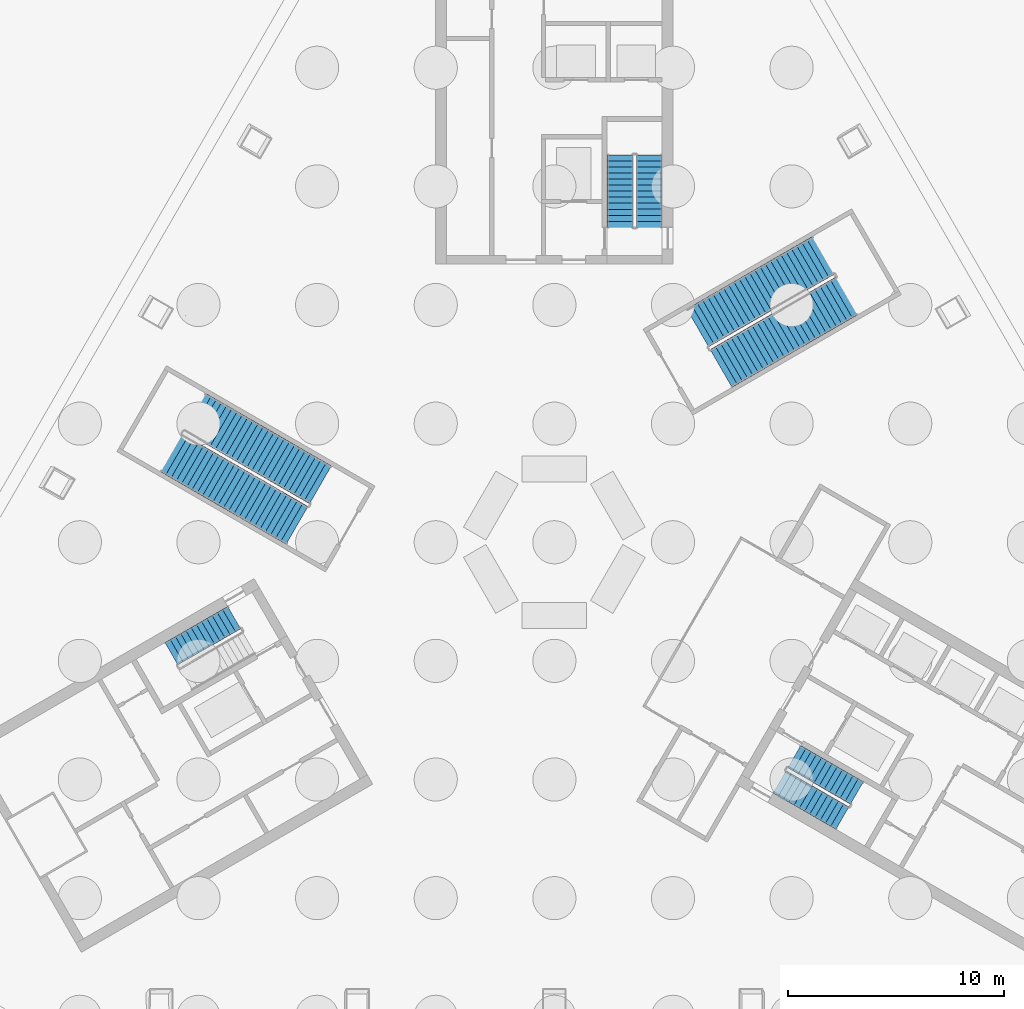
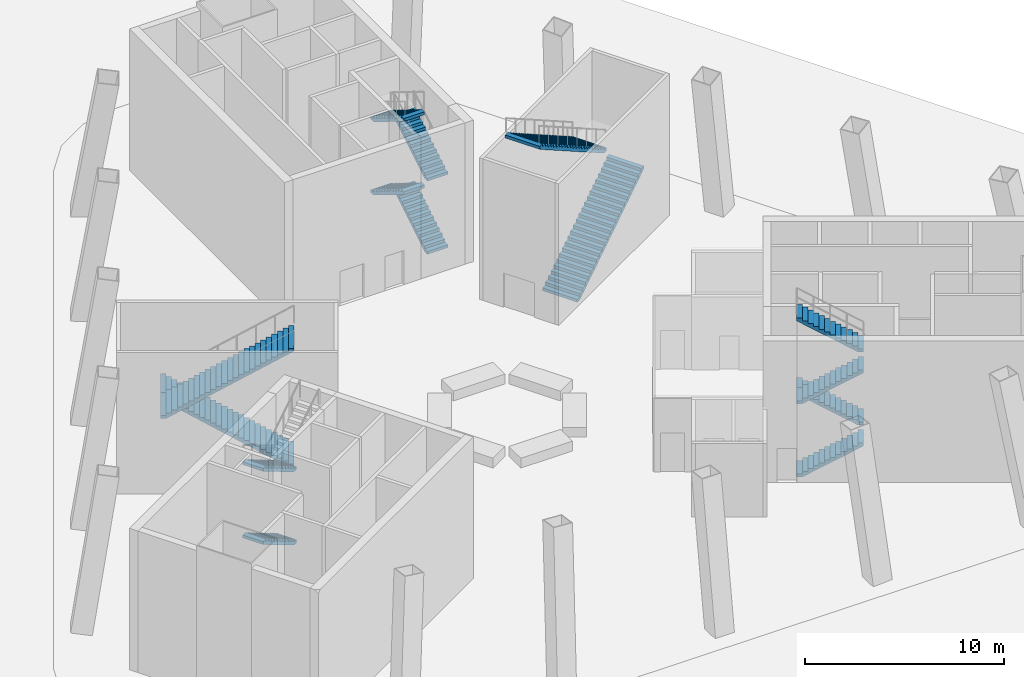
# One storey, part 6 of 10: 14 stair flights, 5 elements without a shape of their own.
"""IFC4 building model written with IfcOpenShell, lengths in metres."""

from ifc_helpers import new_model, si_unit, direction, frame, origin, place, context, subcontext, project, spatial, polyline, outline, extrude, material, type_object, element, aggregate, save


model = new_model("IFC4")

# Units and contexts
model_context = context("Model", 3, precision=1e-05, world=origin(), true_north=direction((0.0, 1.0)))
body_context = subcontext(model_context, "Body", "Model", "MODEL_VIEW")
ifc_project = project(units=[si_unit("LENGTHUNIT", "METRE"), si_unit("AREAUNIT", "SQUARE_METRE"), si_unit("VOLUMEUNIT", "CUBIC_METRE"), si_unit("PLANEANGLEUNIT", "RADIAN"), si_unit("MASSUNIT", "GRAM", prefix="KILO")], contexts=[model_context])

# Site, building, storey
site_placement = place(None, origin())
site = spatial("IfcSite", under=ifc_project, at=site_placement, CompositionType="ELEMENT")
building_placement = place(site_placement, origin())
building = spatial("IfcBuilding", under=site, at=building_placement, Name="Apuvela Tower Hotel", CompositionType="ELEMENT")
storey_placement = place(building_placement, origin())
storey = spatial("IfcBuildingStorey", under=building, at=storey_placement, Name="L00", CompositionType="ELEMENT", Elevation=0.0)

# Stair, stair flights
ifc_material_1 = material(Name="Concrete C50/60", Category="concrete")
stair_type_1 = type_object("IfcStairType", Name="COR-STAIR-52R", PredefinedType="HALF_TURN_STAIR", material=ifc_material_1)
stair_1_placement = place(storey_placement, origin())
stair_1 = element("IfcStair", 1, at=stair_1_placement, inside=storey, type_object=stair_type_1, Name="L00 Exit stair ST1", PredefinedType="HALF_TURN_STAIR")
stair_flight_type_1 = type_object("IfcStairFlightType", Name="COR-FLIGHT-13R", PredefinedType="STRAIGHT", material=ifc_material_1)
stair_flight_1_placement = place(storey_placement, frame((4.39990234375, 14.60009765625, 0.0), z_axis=(0.0, 0.0, 1.0), x_axis=(0.0, 1.0, 0.0)))
stair_flight_1 = element("IfcStairFlight", 2, at=stair_flight_1_placement, type_object=stair_flight_type_1, Name="ST1 flight 1", NumberOfRisers=13, NumberOfTreads=12, PredefinedType="STRAIGHT", RiserHeight=0.173076923, TreadLength=0.28, context=body_context, shape_type="SweptSolid", body=[
    extrude(outline(polyline([(0.0, 0.0), (0.0, 0.173095703125), (0.280029296875, 0.173095703125), (0.280029296875, 0.34619140625), (0.56005859375, 0.34619140625), (0.56005859375, 0.519287109375), (0.840087890625, 0.519287109375), (0.840087890625, 0.6923828125), (1.1201171875, 0.6923828125), (1.1201171875, 0.865478515625), (1.39990234375, 0.865478515625), (1.39990234375, 1.03857421875), (1.679931640625, 1.03857421875), (1.679931640625, 1.21142578125), (1.9599609375, 1.21142578125), (1.9599609375, 1.384521484375), (2.239990234375, 1.384521484375), (2.239990234375, 1.5576171875), (2.52001953125, 1.5576171875), (2.52001953125, 1.730712890625), (2.800048828125, 1.730712890625), (2.800048828125, 1.90380859375), (3.080078125, 1.90380859375), (3.080078125, 2.076904296875), (3.360107421875, 2.076904296875), (3.360107421875, 2.25), (3.360107421875, 1.900634765625), (0.28515625, 0.0), (0.0, 0.0)])), frame((0.0, 0.60009765625, 0.0), z_axis=(0.0, -1.0, 0.0), x_axis=(1.0, 0.0, 0.0)), (0.0, 0.0, 1.0), 1.199951171875),
])
stair_flight_2_placement = place(storey_placement, frame((3.050048828125, 17.9599609375, 2.25), z_axis=(0.0, 0.0, 1.0), x_axis=(0.0, -1.0, 0.0)))
stair_flight_2 = element("IfcStairFlight", 3, at=stair_flight_2_placement, type_object=stair_flight_type_1, Name="ST1 flight 2", NumberOfRisers=13, NumberOfTreads=12, PredefinedType="STRAIGHT", RiserHeight=0.173076923, TreadLength=0.28, context=body_context, shape_type="SweptSolid", body=[
    extrude(outline(polyline([(0.0, 0.0), (0.0, 0.173095703125), (0.280029296875, 0.173095703125), (0.280029296875, 0.34619140625), (0.56005859375, 0.34619140625), (0.56005859375, 0.519287109375), (0.840087890625, 0.519287109375), (0.840087890625, 0.6923828125), (1.1201171875, 0.6923828125), (1.1201171875, 0.865478515625), (1.39990234375, 0.865478515625), (1.39990234375, 1.03857421875), (1.679931640625, 1.03857421875), (1.679931640625, 1.21142578125), (1.9599609375, 1.21142578125), (1.9599609375, 1.384521484375), (2.239990234375, 1.384521484375), (2.239990234375, 1.5576171875), (2.52001953125, 1.5576171875), (2.52001953125, 1.730712890625), (2.800048828125, 1.730712890625), (2.800048828125, 1.90380859375), (3.080078125, 1.90380859375), (3.080078125, 2.076904296875), (3.360107421875, 2.076904296875), (3.360107421875, 2.25), (3.360107421875, 1.900634765625), (0.28515625, 0.0), (0.0, 0.0)])), frame((0.0, 0.60009765625, 0.0), z_axis=(0.0, -1.0, 0.0), x_axis=(1.0, 0.0, 0.0)), (0.0, 0.0, 1.0), 1.199951171875),
])
stair_flight_3_placement = place(storey_placement, frame((4.39990234375, 14.60009765625, 4.5), z_axis=(0.0, 0.0, 1.0), x_axis=(0.0, 1.0, 0.0)))
stair_flight_3 = element("IfcStairFlight", 4, at=stair_flight_3_placement, type_object=stair_flight_type_1, Name="ST1 flight 3", NumberOfRisers=13, NumberOfTreads=12, PredefinedType="STRAIGHT", RiserHeight=0.173076923, TreadLength=0.28, context=body_context, shape_type="SweptSolid", body=[
    extrude(outline(polyline([(0.0, 0.0), (0.0, 0.173095703125), (0.280029296875, 0.173095703125), (0.280029296875, 0.34619140625), (0.56005859375, 0.34619140625), (0.56005859375, 0.519287109375), (0.840087890625, 0.519287109375), (0.840087890625, 0.6923828125), (1.1201171875, 0.6923828125), (1.1201171875, 0.865478515625), (1.39990234375, 0.865478515625), (1.39990234375, 1.03857421875), (1.679931640625, 1.03857421875), (1.679931640625, 1.21142578125), (1.9599609375, 1.21142578125), (1.9599609375, 1.384521484375), (2.239990234375, 1.384521484375), (2.239990234375, 1.5576171875), (2.52001953125, 1.5576171875), (2.52001953125, 1.730712890625), (2.800048828125, 1.730712890625), (2.800048828125, 1.90380859375), (3.080078125, 1.90380859375), (3.080078125, 2.076904296875), (3.360107421875, 2.076904296875), (3.360107421875, 2.25), (3.360107421875, 1.900634765625), (0.28515625, 0.0), (0.0, 0.0)])), frame((0.0, 0.60009765625, 0.0), z_axis=(0.0, -1.0, 0.0), x_axis=(1.0, 0.0, 0.0)), (0.0, 0.0, 1.0), 1.199951171875),
])
stair_flight_4_placement = place(storey_placement, frame((3.050048828125, 17.9599609375, 6.75), z_axis=(0.0, 0.0, 1.0), x_axis=(0.0, -1.0, 0.0)))
stair_flight_4 = element("IfcStairFlight", 5, at=stair_flight_4_placement, type_object=stair_flight_type_1, Name="ST1 flight 4", NumberOfRisers=13, NumberOfTreads=12, PredefinedType="STRAIGHT", RiserHeight=0.173076923, TreadLength=0.28, context=body_context, shape_type="SweptSolid", body=[
    extrude(outline(polyline([(0.0, 0.0), (0.0, 0.173095703125), (0.280029296875, 0.173095703125), (0.280029296875, 0.34619140625), (0.56005859375, 0.34619140625), (0.56005859375, 0.519287109375), (0.840087890625, 0.519287109375), (0.840087890625, 0.6923828125), (1.1201171875, 0.6923828125), (1.1201171875, 0.865478515625), (1.39990234375, 0.865478515625), (1.39990234375, 1.03857421875), (1.679931640625, 1.03857421875), (1.679931640625, 1.21142578125), (1.9599609375, 1.21142578125), (1.9599609375, 1.384521484375), (2.239990234375, 1.384521484375), (2.239990234375, 1.5576171875), (2.52001953125, 1.5576171875), (2.52001953125, 1.730712890625), (2.800048828125, 1.730712890625), (2.800048828125, 1.90380859375), (3.080078125, 1.90380859375), (3.080078125, 2.076904296875), (3.360107421875, 2.076904296875), (3.360107421875, 2.25), (3.360107421875, 1.900634765625), (0.28515625, 0.0), (0.0, 0.0)])), frame((0.0, 0.60009765625, 0.0), z_axis=(0.0, -1.0, 0.0), x_axis=(1.0, 0.0, 0.0)), (0.0, 0.0, 1.0), 1.199951171875),
])
aggregate(stair_1, [stair_flight_1, stair_flight_2, stair_flight_3, stair_flight_4])

stair_2_placement = place(storey_placement, origin())
stair_2 = element("IfcStair", 6, at=stair_2_placement, inside=storey, type_object=stair_type_1, Name="L00 Exit stair ST2", PredefinedType="HALF_TURN_STAIR")
stair_flight_5_placement = place(storey_placement, frame((-14.843994140625, -3.489501953125, 0.0), z_axis=(0.0, 0.0, 1.0), x_axis=(-0.866025403784, -0.5, 0.0)))
stair_flight_5 = element("IfcStairFlight", 7, at=stair_flight_5_placement, type_object=stair_flight_type_1, Name="ST2 flight 1", NumberOfRisers=13, NumberOfTreads=12, PredefinedType="STRAIGHT", RiserHeight=0.173076923, TreadLength=0.28, context=body_context, shape_type="SweptSolid", body=[
    extrude(outline(polyline([(0.0, 0.0), (0.0, 0.173095703125), (0.280029296875, 0.173095703125), (0.280029296875, 0.34619140625), (0.56005859375, 0.34619140625), (0.56005859375, 0.519287109375), (0.840087890625, 0.519287109375), (0.840087890625, 0.6923828125), (1.1201171875, 0.6923828125), (1.1201171875, 0.865478515625), (1.39990234375, 0.865478515625), (1.39990234375, 1.03857421875), (1.679931640625, 1.03857421875), (1.679931640625, 1.21142578125), (1.9599609375, 1.21142578125), (1.9599609375, 1.384521484375), (2.239990234375, 1.384521484375), (2.239990234375, 1.5576171875), (2.52001953125, 1.5576171875), (2.52001953125, 1.730712890625), (2.800048828125, 1.730712890625), (2.800048828125, 1.90380859375), (3.080078125, 1.90380859375), (3.080078125, 2.076904296875), (3.360107421875, 2.076904296875), (3.360107421875, 2.25), (3.360107421875, 1.900634765625), (0.28515625, 0.0), (0.0, 0.0)])), frame((0.0, 0.60009765625, 0.0), z_axis=(0.0, -1.0, 0.0), x_axis=(1.0, 0.0, 0.0)), (0.0, 0.0, 1.0), 1.199951171875),
])
stair_flight_6_placement = place(storey_placement, frame((-14.843994140625, -3.489501953125, 4.5), z_axis=(0.0, 0.0, 1.0), x_axis=(-0.866025403784, -0.5, 0.0)))
stair_flight_6 = element("IfcStairFlight", 8, at=stair_flight_6_placement, type_object=stair_flight_type_1, Name="ST2 flight 3", NumberOfRisers=13, NumberOfTreads=12, PredefinedType="STRAIGHT", RiserHeight=0.173076923, TreadLength=0.28, context=body_context, shape_type="SweptSolid", body=[
    extrude(outline(polyline([(0.0, 0.0), (0.0, 0.173095703125), (0.280029296875, 0.173095703125), (0.280029296875, 0.34619140625), (0.56005859375, 0.34619140625), (0.56005859375, 0.519287109375), (0.840087890625, 0.519287109375), (0.840087890625, 0.6923828125), (1.1201171875, 0.6923828125), (1.1201171875, 0.865478515625), (1.39990234375, 0.865478515625), (1.39990234375, 1.03857421875), (1.679931640625, 1.03857421875), (1.679931640625, 1.21142578125), (1.9599609375, 1.21142578125), (1.9599609375, 1.384521484375), (2.239990234375, 1.384521484375), (2.239990234375, 1.5576171875), (2.52001953125, 1.5576171875), (2.52001953125, 1.730712890625), (2.800048828125, 1.730712890625), (2.800048828125, 1.90380859375), (3.080078125, 1.90380859375), (3.080078125, 2.076904296875), (3.360107421875, 2.076904296875), (3.360107421875, 2.25), (3.360107421875, 1.900634765625), (0.28515625, 0.0), (0.0, 0.0)])), frame((0.0, 0.60009765625, 0.0), z_axis=(0.0, -1.0, 0.0), x_axis=(1.0, 0.0, 0.0)), (0.0, 0.0, 1.0), 1.199951171875),
])
aggregate(stair_2, [stair_flight_5, stair_flight_6])

stair_3_placement = place(storey_placement, origin())
stair_3 = element("IfcStair", 9, at=stair_3_placement, inside=storey, type_object=stair_type_1, Name="L00 Exit stair ST3", PredefinedType="HALF_TURN_STAIR")
stair_flight_7_placement = place(storey_placement, frame((10.444091796875, -11.110595703125, 0.0), z_axis=(0.0, 0.0, 1.0), x_axis=(0.866025403784, -0.5, 0.0)))
stair_flight_7 = element("IfcStairFlight", 10, at=stair_flight_7_placement, type_object=stair_flight_type_1, Name="ST3 flight 1", NumberOfRisers=13, NumberOfTreads=12, PredefinedType="STRAIGHT", RiserHeight=0.173076923, TreadLength=0.28, context=body_context, shape_type="SweptSolid", body=[
    extrude(outline(polyline([(0.0, 0.0), (0.0, 0.173095703125), (0.280029296875, 0.173095703125), (0.280029296875, 0.34619140625), (0.56005859375, 0.34619140625), (0.56005859375, 0.519287109375), (0.840087890625, 0.519287109375), (0.840087890625, 0.6923828125), (1.1201171875, 0.6923828125), (1.1201171875, 0.865478515625), (1.39990234375, 0.865478515625), (1.39990234375, 1.03857421875), (1.679931640625, 1.03857421875), (1.679931640625, 1.21142578125), (1.9599609375, 1.21142578125), (1.9599609375, 1.384521484375), (2.239990234375, 1.384521484375), (2.239990234375, 1.5576171875), (2.52001953125, 1.5576171875), (2.52001953125, 1.730712890625), (2.800048828125, 1.730712890625), (2.800048828125, 1.90380859375), (3.080078125, 1.90380859375), (3.080078125, 2.076904296875), (3.360107421875, 2.076904296875), (3.360107421875, 2.25), (3.360107421875, 1.900634765625), (0.28515625, 0.0), (0.0, 0.0)])), frame((0.0, 0.60009765625, 0.0), z_axis=(0.0, -1.0, 0.0), x_axis=(1.0, 0.0, 0.0)), (0.0, 0.0, 1.0), 1.199951171875),
])
stair_flight_8_placement = place(storey_placement, frame((14.02880859375, -11.621337890625, 2.25), z_axis=(0.0, 0.0, 1.0), x_axis=(-0.866025403784, 0.5, 0.0)))
stair_flight_8 = element("IfcStairFlight", 11, at=stair_flight_8_placement, type_object=stair_flight_type_1, Name="ST3 flight 2", NumberOfRisers=13, NumberOfTreads=12, PredefinedType="STRAIGHT", RiserHeight=0.173076923, TreadLength=0.28, context=body_context, shape_type="SweptSolid", body=[
    extrude(outline(polyline([(0.0, 0.0), (0.0, 0.173095703125), (0.280029296875, 0.173095703125), (0.280029296875, 0.34619140625), (0.56005859375, 0.34619140625), (0.56005859375, 0.519287109375), (0.840087890625, 0.519287109375), (0.840087890625, 0.6923828125), (1.1201171875, 0.6923828125), (1.1201171875, 0.865478515625), (1.39990234375, 0.865478515625), (1.39990234375, 1.03857421875), (1.679931640625, 1.03857421875), (1.679931640625, 1.21142578125), (1.9599609375, 1.21142578125), (1.9599609375, 1.384521484375), (2.239990234375, 1.384521484375), (2.239990234375, 1.5576171875), (2.52001953125, 1.5576171875), (2.52001953125, 1.730712890625), (2.800048828125, 1.730712890625), (2.800048828125, 1.90380859375), (3.080078125, 1.90380859375), (3.080078125, 2.076904296875), (3.360107421875, 2.076904296875), (3.360107421875, 2.25), (3.360107421875, 1.900634765625), (0.28515625, 0.0), (0.0, 0.0)])), frame((0.0, 0.60009765625, 0.0), z_axis=(0.0, -1.0, 0.0), x_axis=(1.0, 0.0, 0.0)), (0.0, 0.0, 1.0), 1.199951171875),
])
stair_flight_9_placement = place(storey_placement, frame((10.444091796875, -11.110595703125, 4.5), z_axis=(0.0, 0.0, 1.0), x_axis=(0.866025403784, -0.5, 0.0)))
stair_flight_9 = element("IfcStairFlight", 12, at=stair_flight_9_placement, type_object=stair_flight_type_1, Name="ST3 flight 3", NumberOfRisers=13, NumberOfTreads=12, PredefinedType="STRAIGHT", RiserHeight=0.173076923, TreadLength=0.28, context=body_context, shape_type="SweptSolid", body=[
    extrude(outline(polyline([(0.0, 0.0), (0.0, 0.173095703125), (0.280029296875, 0.173095703125), (0.280029296875, 0.34619140625), (0.56005859375, 0.34619140625), (0.56005859375, 0.519287109375), (0.840087890625, 0.519287109375), (0.840087890625, 0.6923828125), (1.1201171875, 0.6923828125), (1.1201171875, 0.865478515625), (1.39990234375, 0.865478515625), (1.39990234375, 1.03857421875), (1.679931640625, 1.03857421875), (1.679931640625, 1.21142578125), (1.9599609375, 1.21142578125), (1.9599609375, 1.384521484375), (2.239990234375, 1.384521484375), (2.239990234375, 1.5576171875), (2.52001953125, 1.5576171875), (2.52001953125, 1.730712890625), (2.800048828125, 1.730712890625), (2.800048828125, 1.90380859375), (3.080078125, 1.90380859375), (3.080078125, 2.076904296875), (3.360107421875, 2.076904296875), (3.360107421875, 2.25), (3.360107421875, 1.900634765625), (0.28515625, 0.0), (0.0, 0.0)])), frame((0.0, 0.60009765625, 0.0), z_axis=(0.0, -1.0, 0.0), x_axis=(1.0, 0.0, 0.0)), (0.0, 0.0, 1.0), 1.199951171875),
])
stair_flight_10_placement = place(storey_placement, frame((14.02880859375, -11.621337890625, 6.75), z_axis=(0.0, 0.0, 1.0), x_axis=(-0.866025403784, 0.5, 0.0)))
stair_flight_10 = element("IfcStairFlight", 13, at=stair_flight_10_placement, type_object=stair_flight_type_1, Name="ST3 flight 4", NumberOfRisers=13, NumberOfTreads=12, PredefinedType="STRAIGHT", RiserHeight=0.173076923, TreadLength=0.28, context=body_context, shape_type="SweptSolid", body=[
    extrude(outline(polyline([(0.0, 0.0), (0.0, 0.173095703125), (0.280029296875, 0.173095703125), (0.280029296875, 0.34619140625), (0.56005859375, 0.34619140625), (0.56005859375, 0.519287109375), (0.840087890625, 0.519287109375), (0.840087890625, 0.6923828125), (1.1201171875, 0.6923828125), (1.1201171875, 0.865478515625), (1.39990234375, 0.865478515625), (1.39990234375, 1.03857421875), (1.679931640625, 1.03857421875), (1.679931640625, 1.21142578125), (1.9599609375, 1.21142578125), (1.9599609375, 1.384521484375), (2.239990234375, 1.384521484375), (2.239990234375, 1.5576171875), (2.52001953125, 1.5576171875), (2.52001953125, 1.730712890625), (2.800048828125, 1.730712890625), (2.800048828125, 1.90380859375), (3.080078125, 1.90380859375), (3.080078125, 2.076904296875), (3.360107421875, 2.076904296875), (3.360107421875, 2.25), (3.360107421875, 1.900634765625), (0.28515625, 0.0), (0.0, 0.0)])), frame((0.0, 0.60009765625, 0.0), z_axis=(0.0, -1.0, 0.0), x_axis=(1.0, 0.0, 0.0)), (0.0, 0.0, 1.0), 1.199951171875),
])
aggregate(stair_3, [stair_flight_7, stair_flight_8, stair_flight_9, stair_flight_10])

ifc_material_2 = material(Name="Concrete C40/50", Category="concrete")
stair_type_2 = type_object("IfcStairType", Name="SPC-STAIR-PS", PredefinedType="HALF_TURN_STAIR", material=ifc_material_2)
stair_4_placement = place(storey_placement, origin())
stair_4 = element("IfcStair", 14, at=stair_4_placement, inside=storey, type_object=stair_type_2, Name="L00 Protected exit stair PS1", PredefinedType="HALF_TURN_STAIR")
stair_flight_type_2 = type_object("IfcStairFlightType", Name="SPC-FLIGHT-PS", PredefinedType="STRAIGHT", material=ifc_material_2)
stair_flight_11_placement = place(storey_placement, frame((7.73193359375, 8.05810546875, 0.0), z_axis=(0.0, 0.0, 1.0), x_axis=(0.866025403784, 0.5, 0.0)))
stair_flight_11 = element("IfcStairFlight", 15, at=stair_flight_11_placement, type_object=stair_flight_type_2, Name="PS1 flight 1", NumberOfRisers=25, NumberOfTreads=24, PredefinedType="STRAIGHT", RiserHeight=0.18, TreadLength=0.28, context=body_context, shape_type="SweptSolid", body=[
    extrude(outline(polyline([(0.0, 0.0), (0.0, 0.179931640625), (0.280029296875, 0.179931640625), (0.280029296875, 0.360107421875), (0.56005859375, 0.360107421875), (0.56005859375, 0.5400390625), (0.840087890625, 0.5400390625), (0.840087890625, 0.719970703125), (1.1201171875, 0.719970703125), (1.1201171875, 0.89990234375), (1.39990234375, 0.89990234375), (1.39990234375, 1.080078125), (1.679931640625, 1.080078125), (1.679931640625, 1.260009765625), (1.9599609375, 1.260009765625), (1.9599609375, 1.43994140625), (2.239990234375, 1.43994140625), (2.239990234375, 1.6201171875), (2.52001953125, 1.6201171875), (2.52001953125, 1.800048828125), (2.800048828125, 1.800048828125), (2.800048828125, 1.97998046875), (3.080078125, 1.97998046875), (3.080078125, 2.159912109375), (3.360107421875, 2.159912109375), (3.360107421875, 2.340087890625), (3.639892578125, 2.340087890625), (3.639892578125, 2.52001953125), (3.919921875, 2.52001953125), (3.919921875, 2.699951171875), (4.199951171875, 2.699951171875), (4.199951171875, 2.8798828125), (4.47998046875, 2.8798828125), (4.47998046875, 3.06005859375), (4.760009765625, 3.06005859375), (4.760009765625, 3.239990234375), (5.0400390625, 3.239990234375), (5.0400390625, 3.419921875), (5.320068359375, 3.419921875), (5.320068359375, 3.60009765625), (5.60009765625, 3.60009765625), (5.60009765625, 3.780029296875), (5.8798828125, 3.780029296875), (5.8798828125, 3.9599609375), (6.159912109375, 3.9599609375), (6.159912109375, 4.139892578125), (6.43994140625, 4.139892578125), (6.43994140625, 4.320068359375), (6.719970703125, 4.320068359375), (6.719970703125, 4.5), (6.719970703125, 4.141845703125), (0.277099609375, 0.0), (0.0, 0.0)])), frame((0.0, 1.012451171875, 0.0), z_axis=(0.0, -1.0, 0.0), x_axis=(1.0, 0.0, 0.0)), (0.0, 0.0, 1.0), 2.02490234375),
])
stair_flight_12_placement = place(storey_placement, frame((12.464111328125, 13.301513671875, 4.5), z_axis=(0.0, 0.0, 1.0), x_axis=(-0.866025403784, -0.5, 0.0)))
stair_flight_12 = element("IfcStairFlight", 16, at=stair_flight_12_placement, type_object=stair_flight_type_2, Name="PS1 flight 2", NumberOfRisers=25, NumberOfTreads=24, PredefinedType="STRAIGHT", RiserHeight=0.18, TreadLength=0.28, context=body_context, shape_type="SweptSolid", body=[
    extrude(outline(polyline([(0.0, 0.0), (0.0, 0.179931640625), (0.280029296875, 0.179931640625), (0.280029296875, 0.360107421875), (0.56005859375, 0.360107421875), (0.56005859375, 0.5400390625), (0.840087890625, 0.5400390625), (0.840087890625, 0.719970703125), (1.1201171875, 0.719970703125), (1.1201171875, 0.89990234375), (1.39990234375, 0.89990234375), (1.39990234375, 1.080078125), (1.679931640625, 1.080078125), (1.679931640625, 1.260009765625), (1.9599609375, 1.260009765625), (1.9599609375, 1.43994140625), (2.239990234375, 1.43994140625), (2.239990234375, 1.6201171875), (2.52001953125, 1.6201171875), (2.52001953125, 1.800048828125), (2.800048828125, 1.800048828125), (2.800048828125, 1.97998046875), (3.080078125, 1.97998046875), (3.080078125, 2.159912109375), (3.360107421875, 2.159912109375), (3.360107421875, 2.340087890625), (3.639892578125, 2.340087890625), (3.639892578125, 2.52001953125), (3.919921875, 2.52001953125), (3.919921875, 2.699951171875), (4.199951171875, 2.699951171875), (4.199951171875, 2.8798828125), (4.47998046875, 2.8798828125), (4.47998046875, 3.06005859375), (4.760009765625, 3.06005859375), (4.760009765625, 3.239990234375), (5.0400390625, 3.239990234375), (5.0400390625, 3.419921875), (5.320068359375, 3.419921875), (5.320068359375, 3.60009765625), (5.60009765625, 3.60009765625), (5.60009765625, 3.780029296875), (5.8798828125, 3.780029296875), (5.8798828125, 3.9599609375), (6.159912109375, 3.9599609375), (6.159912109375, 4.139892578125), (6.43994140625, 4.139892578125), (6.43994140625, 4.320068359375), (6.719970703125, 4.320068359375), (6.719970703125, 4.5), (6.719970703125, 4.141845703125), (0.277099609375, 0.0), (0.0, 0.0)])), frame((0.0, 1.012451171875, 0.0), z_axis=(0.0, -1.0, 0.0), x_axis=(1.0, 0.0, 0.0)), (0.0, 0.0, 1.0), 2.02490234375),
])
aggregate(stair_4, [stair_flight_11, stair_flight_12])

stair_5_placement = place(storey_placement, origin())
stair_5 = element("IfcStair", 17, at=stair_5_placement, inside=storey, type_object=stair_type_2, Name="L00 Protected exit stair PS2", PredefinedType="HALF_TURN_STAIR")
stair_flight_13_placement = place(storey_placement, frame((-10.844482421875, 2.6669921875, 0.0), z_axis=(0.0, 0.0, 1.0), x_axis=(-0.866025403784, 0.5, 0.0)))
stair_flight_13 = element("IfcStairFlight", 18, at=stair_flight_13_placement, type_object=stair_flight_type_2, Name="PS2 flight 1", NumberOfRisers=25, NumberOfTreads=24, PredefinedType="STRAIGHT", RiserHeight=0.18, TreadLength=0.28, context=body_context, shape_type="SweptSolid", body=[
    extrude(outline(polyline([(0.0, 0.0), (0.0, 0.179931640625), (0.280029296875, 0.179931640625), (0.280029296875, 0.360107421875), (0.56005859375, 0.360107421875), (0.56005859375, 0.5400390625), (0.840087890625, 0.5400390625), (0.840087890625, 0.719970703125), (1.1201171875, 0.719970703125), (1.1201171875, 0.89990234375), (1.39990234375, 0.89990234375), (1.39990234375, 1.080078125), (1.679931640625, 1.080078125), (1.679931640625, 1.260009765625), (1.9599609375, 1.260009765625), (1.9599609375, 1.43994140625), (2.239990234375, 1.43994140625), (2.239990234375, 1.6201171875), (2.52001953125, 1.6201171875), (2.52001953125, 1.800048828125), (2.800048828125, 1.800048828125), (2.800048828125, 1.97998046875), (3.080078125, 1.97998046875), (3.080078125, 2.159912109375), (3.360107421875, 2.159912109375), (3.360107421875, 2.340087890625), (3.639892578125, 2.340087890625), (3.639892578125, 2.52001953125), (3.919921875, 2.52001953125), (3.919921875, 2.699951171875), (4.199951171875, 2.699951171875), (4.199951171875, 2.8798828125), (4.47998046875, 2.8798828125), (4.47998046875, 3.06005859375), (4.760009765625, 3.06005859375), (4.760009765625, 3.239990234375), (5.0400390625, 3.239990234375), (5.0400390625, 3.419921875), (5.320068359375, 3.419921875), (5.320068359375, 3.60009765625), (5.60009765625, 3.60009765625), (5.60009765625, 3.780029296875), (5.8798828125, 3.780029296875), (5.8798828125, 3.9599609375), (6.159912109375, 3.9599609375), (6.159912109375, 4.139892578125), (6.43994140625, 4.139892578125), (6.43994140625, 4.320068359375), (6.719970703125, 4.320068359375), (6.719970703125, 4.5), (6.719970703125, 4.141845703125), (0.277099609375, 0.0), (0.0, 0.0)])), frame((0.0, 1.012451171875, 0.0), z_axis=(0.0, -1.0, 0.0), x_axis=(1.0, 0.0, 0.0)), (0.0, 0.0, 1.0), 2.02490234375),
])
stair_flight_14_placement = place(storey_placement, frame((-17.75146484375, 4.143310546875, 4.5), z_axis=(0.0, 0.0, 1.0), x_axis=(0.866025403784, -0.5, 0.0)))
stair_flight_14 = element("IfcStairFlight", 19, at=stair_flight_14_placement, type_object=stair_flight_type_2, Name="PS2 flight 2", NumberOfRisers=25, NumberOfTreads=24, PredefinedType="STRAIGHT", RiserHeight=0.18, TreadLength=0.28, context=body_context, shape_type="SweptSolid", body=[
    extrude(outline(polyline([(0.0, 0.0), (0.0, 0.179931640625), (0.280029296875, 0.179931640625), (0.280029296875, 0.360107421875), (0.56005859375, 0.360107421875), (0.56005859375, 0.5400390625), (0.840087890625, 0.5400390625), (0.840087890625, 0.719970703125), (1.1201171875, 0.719970703125), (1.1201171875, 0.89990234375), (1.39990234375, 0.89990234375), (1.39990234375, 1.080078125), (1.679931640625, 1.080078125), (1.679931640625, 1.260009765625), (1.9599609375, 1.260009765625), (1.9599609375, 1.43994140625), (2.239990234375, 1.43994140625), (2.239990234375, 1.6201171875), (2.52001953125, 1.6201171875), (2.52001953125, 1.800048828125), (2.800048828125, 1.800048828125), (2.800048828125, 1.97998046875), (3.080078125, 1.97998046875), (3.080078125, 2.159912109375), (3.360107421875, 2.159912109375), (3.360107421875, 2.340087890625), (3.639892578125, 2.340087890625), (3.639892578125, 2.52001953125), (3.919921875, 2.52001953125), (3.919921875, 2.699951171875), (4.199951171875, 2.699951171875), (4.199951171875, 2.8798828125), (4.47998046875, 2.8798828125), (4.47998046875, 3.06005859375), (4.760009765625, 3.06005859375), (4.760009765625, 3.239990234375), (5.0400390625, 3.239990234375), (5.0400390625, 3.419921875), (5.320068359375, 3.419921875), (5.320068359375, 3.60009765625), (5.60009765625, 3.60009765625), (5.60009765625, 3.780029296875), (5.8798828125, 3.780029296875), (5.8798828125, 3.9599609375), (6.159912109375, 3.9599609375), (6.159912109375, 4.139892578125), (6.43994140625, 4.139892578125), (6.43994140625, 4.320068359375), (6.719970703125, 4.320068359375), (6.719970703125, 4.5), (6.719970703125, 4.141845703125), (0.277099609375, 0.0), (0.0, 0.0)])), frame((0.0, 1.012451171875, 0.0), z_axis=(0.0, -1.0, 0.0), x_axis=(1.0, 0.0, 0.0)), (0.0, 0.0, 1.0), 2.02490234375),
])
aggregate(stair_5, [stair_flight_13, stair_flight_14])

save(model, "model.ifc")
